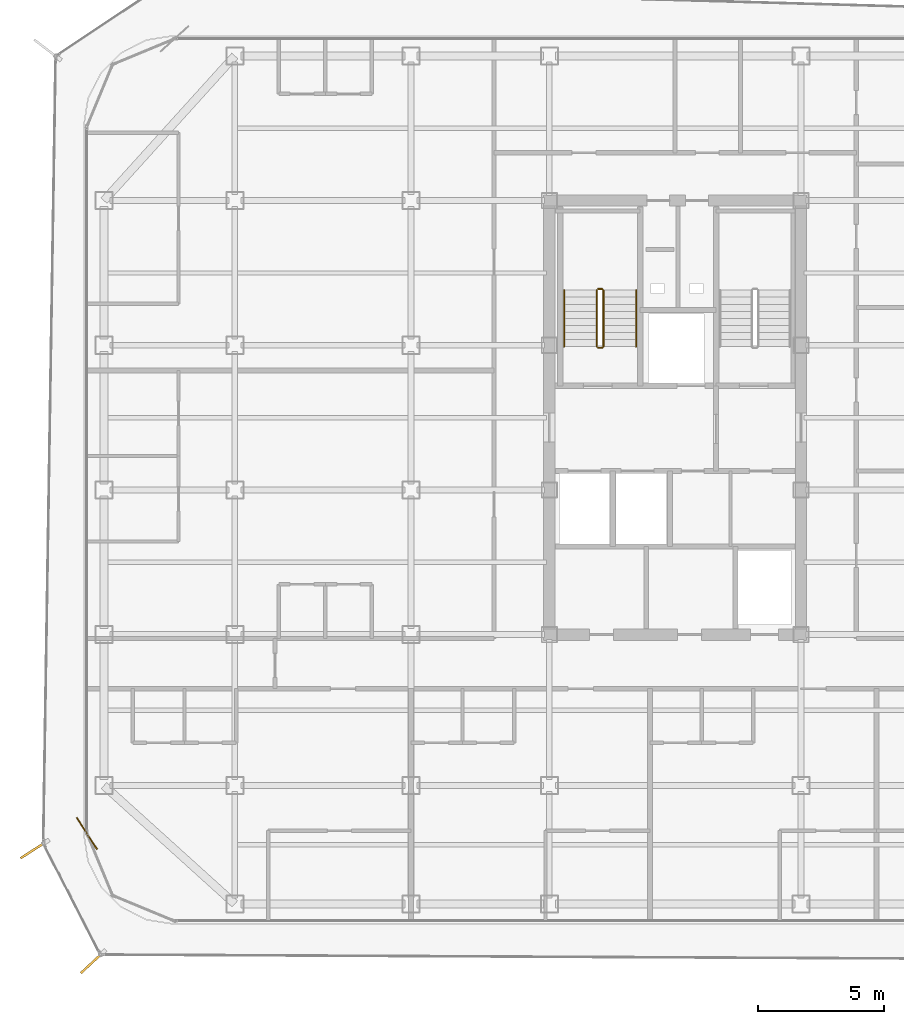
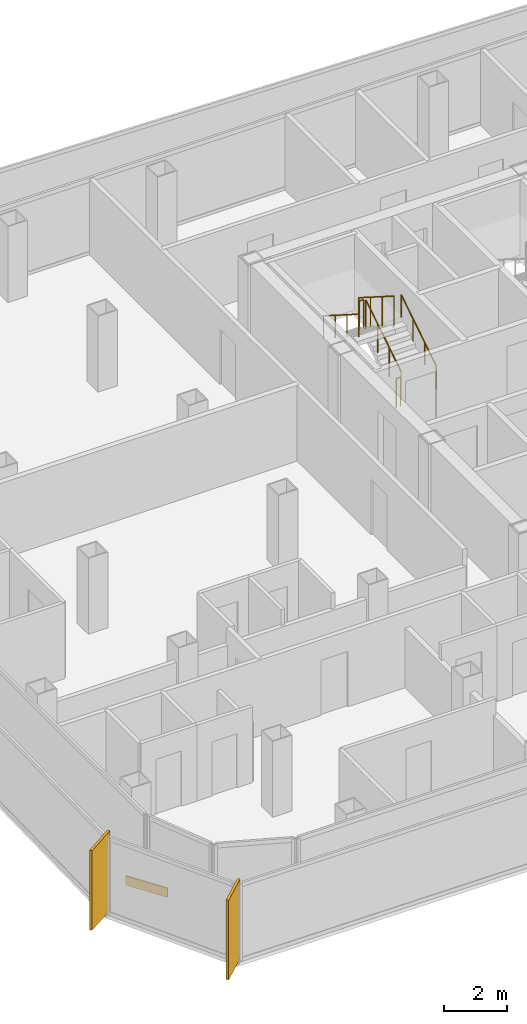
# One storey, part 14 of 16: 6 railings, 2 shading devices, 1 covering.
"""IFC4 building model written with IfcOpenShell, lengths in metres."""

from ifc_helpers import new_model, si_unit, direction, frame, origin, origin_2d, place, context, subcontext, project, spatial, rectangle, circle, extrude, source, transform, mapped, material, layer, layer_set, type_object, element, save


model = new_model("IFC4")

# Units and contexts
model_context = context("Model", 3, precision=1e-05, world=origin(), true_north=direction((0.0, 1.0)))
body_context = subcontext(model_context, "Body", "Model", "MODEL_VIEW")
ifc_project = project(units=[si_unit("LENGTHUNIT", "METRE"), si_unit("AREAUNIT", "SQUARE_METRE"), si_unit("VOLUMEUNIT", "CUBIC_METRE"), si_unit("PLANEANGLEUNIT", "RADIAN"), si_unit("MASSUNIT", "GRAM", prefix="KILO")], contexts=[model_context])

# Site, building, storey
site_placement = place(None, origin())
site = spatial("IfcSite", under=ifc_project, at=site_placement, CompositionType="ELEMENT")
building_placement = place(site_placement, origin())
building = spatial("IfcBuilding", under=site, at=building_placement, Name="Kolveth Station Tower", CompositionType="ELEMENT")
storey_placement = place(building_placement, frame((0.0, 0.0, 209.199951171875)))
storey = spatial("IfcBuildingStorey", under=building, at=storey_placement, Name="L59", CompositionType="ELEMENT", Elevation=209.199951171875)

# Railings
ifc_material_1 = material(Name="Painted Steel S355 balustrade", Category="steel")
railing_type_1 = type_object("IfcRailingType", Name="Guard_GR2", PredefinedType="BALUSTRADE", material=ifc_material_1)
railing_1_placement = place(storey_placement, frame((20.64990234375, 22.949951171875, 0.177734375)))
element("IfcRailing", 1, at=railing_1_placement, inside=storey, type_object=railing_type_1, Name="L59 ST1 stair guard 1", PredefinedType="BALUSTRADE", context=body_context, shape_type="SweptSolid", body=[
    extrude(circle(Radius=0.02392578125, at=origin_2d()), frame((0.0, 0.0, 1.1259765625), z_axis=(0.0, 0.84418770128, 0.536047689118), x_axis=(-1.0, 0.0, 0.0)), (0.0, 0.0, 1.0), 2.6533203125),
    extrude(circle(Radius=0.02099609375, at=origin_2d()), origin(), (0.0, 0.0, 1.0), 1.101806640625),
    extrude(circle(Radius=0.02099609375, at=origin_2d()), frame((0.0, 0.74658203125, 0.47412109375)), (0.0, 0.0, 1.0), 1.101806640625),
    extrude(circle(Radius=0.02099609375, at=origin_2d()), frame((0.0, 1.493408203125, 0.9482421875)), (0.0, 0.0, 1.0), 1.101806640625),
    extrude(circle(Radius=0.02099609375, at=origin_2d()), frame((0.0, 2.239990234375, 1.42236328125)), (0.0, 0.0, 1.0), 1.101806640625),
])
railing_2_placement = place(storey_placement, frame((20.60009765625, 25.239990234375, 1.60009765625)))
element("IfcRailing", 2, at=railing_2_placement, inside=storey, type_object=railing_type_1, Name="L59 ST1 stair guard 2", PredefinedType="BALUSTRADE", context=body_context, shape_type="SweptSolid", body=[
    extrude(circle(Radius=0.02392578125, at=origin_2d()), frame((0.0, 0.0, 1.1259765625), z_axis=(-1.0, 0.0, 0.0), x_axis=(0.0, -1.0, 0.0)), (0.0, 0.0, 1.0), 0.16015625),
    extrude(circle(Radius=0.02099609375, at=origin_2d()), origin(), (0.0, 0.0, 1.0), 1.101806640625),
    extrude(circle(Radius=0.02099609375, at=origin_2d()), frame((-0.16015625, 0.0, 0.0)), (0.0, 0.0, 1.0), 1.101806640625),
])
railing_3_placement = place(storey_placement, frame((20.389892578125, 25.18994140625, 1.77783203125)))
element("IfcRailing", 3, at=railing_3_placement, inside=storey, type_object=railing_type_1, Name="L59 ST1 stair guard 3", PredefinedType="BALUSTRADE", context=body_context, shape_type="SweptSolid", body=[
    extrude(circle(Radius=0.02392578125, at=origin_2d()), frame((0.0, 0.0, 1.1259765625), z_axis=(0.0, -0.8442293374, 0.53598211339), x_axis=(1.0, 0.0, 0.0)), (0.0, 0.0, 1.0), 2.6533203125),
    extrude(circle(Radius=0.02099609375, at=origin_2d()), origin(), (0.0, 0.0, 1.0), 1.101806640625),
    extrude(circle(Radius=0.02099609375, at=origin_2d()), frame((0.0, -0.74658203125, 0.47412109375)), (0.0, 0.0, 1.0), 1.101806640625),
    extrude(circle(Radius=0.02099609375, at=origin_2d()), frame((0.0, -1.493408203125, 0.947998046875)), (0.0, 0.0, 1.0), 1.101806640625),
    extrude(circle(Radius=0.02099609375, at=origin_2d()), frame((0.0, -2.239990234375, 1.422119140625)), (0.0, 0.0, 1.0), 1.101806640625),
])
railing_4_placement = place(storey_placement, frame((20.60009765625, 22.89990234375, 0.0)))
element("IfcRailing", 4, at=railing_4_placement, inside=storey, type_object=railing_type_1, Name="L59 ST1 stair guard 4", PredefinedType="BALUSTRADE", context=body_context, shape_type="SweptSolid", body=[
    extrude(circle(Radius=0.02392578125, at=origin_2d()), frame((0.0, 0.0, 1.1259765625), z_axis=(-1.0, 0.0, 0.0), x_axis=(0.0, -1.0, 0.0)), (0.0, 0.0, 1.0), 0.16015625),
    extrude(circle(Radius=0.02099609375, at=origin_2d()), origin(), (0.0, 0.0, 1.0), 1.101806640625),
    extrude(circle(Radius=0.02099609375, at=origin_2d()), frame((-0.16015625, 0.0, 0.0)), (0.0, 0.0, 1.0), 1.101806640625),
])
ifc_material_2 = material(Name="Brushed stainless steel", Category="steel")
railing_type_2 = type_object("IfcRailingType", Name="Handrail_HR1", PredefinedType="HANDRAIL", material=ifc_material_2)
railing_5_placement = place(storey_placement, frame((21.949951171875, 22.949951171875, 0.177734375)))
element("IfcRailing", 5, at=railing_5_placement, inside=storey, type_object=railing_type_2, Name="L59 ST1 stair handrail 1", PredefinedType="HANDRAIL", context=body_context, shape_type="SweptSolid", body=[
    extrude(circle(Radius=0.02392578125, at=origin_2d()), frame((0.0, 0.0, 0.8759765625), z_axis=(0.0, 0.84418770128, 0.536047689118), x_axis=(-1.0, 0.0, 0.0)), (0.0, 0.0, 1.0), 2.6533203125),
    extrude(circle(Radius=0.02099609375, at=origin_2d()), origin(), (0.0, 0.0, 1.0), 0.851806640625),
    extrude(circle(Radius=0.02099609375, at=origin_2d()), frame((0.0, 0.74658203125, 0.47412109375)), (0.0, 0.0, 1.0), 0.851806640625),
    extrude(circle(Radius=0.02099609375, at=origin_2d()), frame((0.0, 1.493408203125, 0.9482421875)), (0.0, 0.0, 1.0), 0.851806640625),
    extrude(circle(Radius=0.02099609375, at=origin_2d()), frame((0.0, 2.239990234375, 1.42236328125)), (0.0, 0.0, 1.0), 0.851806640625),
])
railing_6_placement = place(storey_placement, frame((19.090087890625, 25.18994140625, 1.77783203125)))
element("IfcRailing", 6, at=railing_6_placement, inside=storey, type_object=railing_type_2, Name="L59 ST1 stair handrail 2", PredefinedType="HANDRAIL", context=body_context, shape_type="SweptSolid", body=[
    extrude(circle(Radius=0.02392578125, at=origin_2d()), frame((0.0, 0.0, 0.8759765625), z_axis=(0.0, -0.8442293374, 0.53598211339), x_axis=(1.0, 0.0, 0.0)), (0.0, 0.0, 1.0), 2.6533203125),
    extrude(circle(Radius=0.02099609375, at=origin_2d()), origin(), (0.0, 0.0, 1.0), 0.851806640625),
    extrude(circle(Radius=0.02099609375, at=origin_2d()), frame((0.0, -0.74658203125, 0.47412109375)), (0.0, 0.0, 1.0), 0.851806640625),
    extrude(circle(Radius=0.02099609375, at=origin_2d()), frame((0.0, -1.493408203125, 0.947998046875)), (0.0, 0.0, 1.0), 0.851806640625),
    extrude(circle(Radius=0.02099609375, at=origin_2d()), frame((0.0, -2.239990234375, 1.422119140625)), (0.0, 0.0, 1.0), 0.851806640625),
])

# Shading devices
ifc_material_3 = material(Name="Black anodized aluminium 6063-T6", Category="aluminium")
shading_device_type = type_object("IfcShadingDeviceType", Name="FIN_VF1", PredefinedType="USERDEFINED", material=ifc_material_3)
shared_shape_1 = source(origin(), body_context, "Body", "SweptSolid", [
    extrude(rectangle(XDim=1.25, YDim=0.090087890625, at=origin_2d()), origin(), (0.0, 0.0, 1.0), 3.10009765625),
])
for number, where, z_axis, x_axis, name in (
    (7, (-1.987060546875, 2.951904296875, 0.0), (0.0, 0.0, 1.0), (-0.841416479405, -0.540387183587, 0.0), "L59 Dark-Aluminium Solar Fin 7"),
    (8, (0.3349609375, -1.529052734375, 0.0), (0.0, 0.0, 1.0), (-0.731353701619, -0.681998360062, 0.0), "L59 Dark-Aluminium Solar Fin 8"),
):
    element("IfcShadingDevice", number, at=place(storey_placement, frame(where, z_axis=z_axis, x_axis=x_axis)), inside=storey, type_object=shading_device_type, Name=name, ObjectType="FIN", PredefinedType="USERDEFINED", context=body_context, shape_type="MappedRepresentation", body=[
        mapped(shared_shape_1, transform((0.0, 0.0, 0.0), x_axis=(1.0, 0.0, 0.0), y_axis=(0.0, 1.0, 0.0), z_axis=(0.0, 0.0, 1.0), scale=1.0)),
    ])

# Covering
ifc_material_4 = material(Name="Charcoal anodized aluminium spandrel cladding", Category="aluminium")
ifc_layer = layer(ifc_material_4, 0.044921875)
ifc_layer_set = layer_set([ifc_layer], Name="Charcoal anodized aluminium spandrel cladding")
covering_type = type_object("IfcCoveringType", Name="Clad_CD1", PredefinedType="CLADDING", material=ifc_layer_set)
shared_shape_2 = source(origin(), body_context, "Body", "SweptSolid", [
    extrude(rectangle(XDim=1.5, YDim=0.044921875, at=origin_2d()), origin(), (0.0, 0.0, 1.0), 0.360107421875),
])
covering_placement = place(storey_placement, frame((0.1201171875, 3.60009765625, 0.0), z_axis=(0.0, 0.0, 1.0), x_axis=(0.540387183587, -0.841416479405, 0.0)))
element("IfcCovering", 9, at=covering_placement, inside=storey, type_object=covering_type, Name="L59 Spandrel Edge Cladding 7", PredefinedType="CLADDING", context=body_context, shape_type="MappedRepresentation", body=[
    mapped(shared_shape_2, transform((0.0, 0.0, 0.0), x_axis=(1.0, 0.0, 0.0), y_axis=(0.0, 1.0, 0.0), z_axis=(0.0, 0.0, 1.0), scale=1.0)),
])

save(model, "model.ifc")
